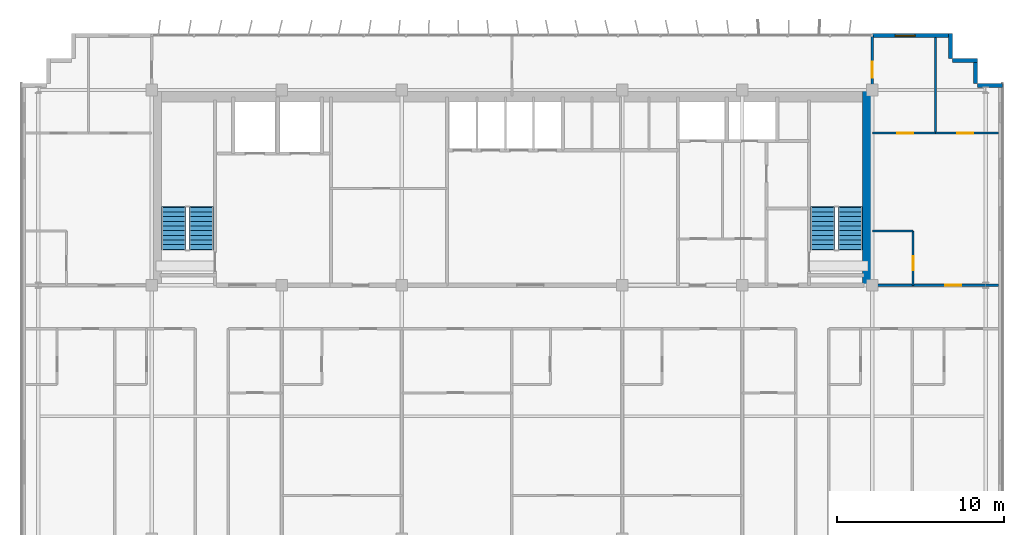
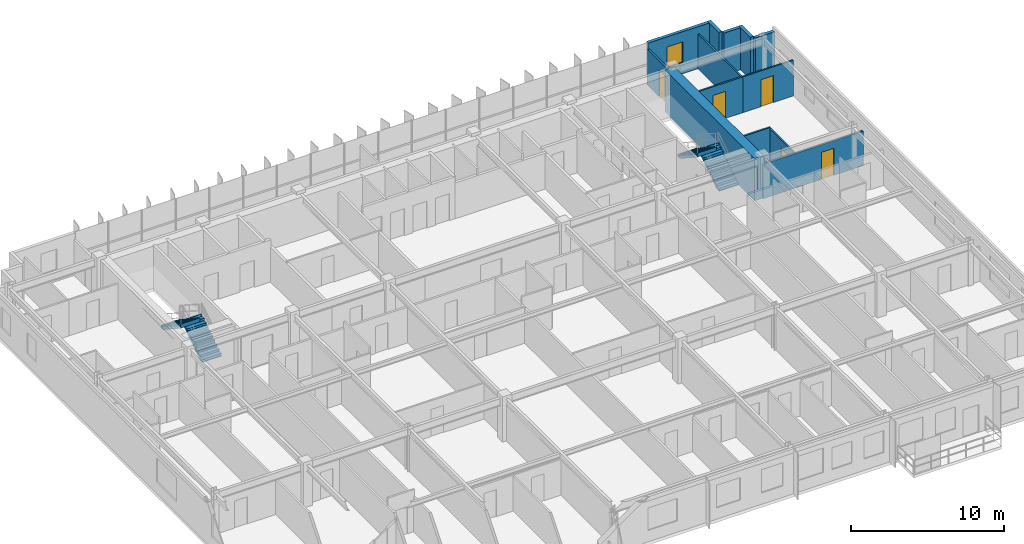
# One storey, part 20 of 22: 13 walls, 5 doors, 4 stair flights, 1 window, 6 openings, 2 elements without a shape of their own.
"""IFC4 building model written with IfcOpenShell, lengths in metres."""

from ifc_helpers import new_model, si_unit, direction, frame, frame_2d, origin, place, context, subcontext, project, spatial, polyline, rectangle, outline, extrude, source, transform, mapped, material, layer, layer_set, type_object, element, fill, aggregate, save


model = new_model("IFC4")

# Units and contexts
model_context = context("Model", 3, precision=1e-05, world=origin(), true_north=direction((0.0, 1.0)))
body_context = subcontext(model_context, "Body", "Model", "MODEL_VIEW")
ifc_project = project(units=[si_unit("LENGTHUNIT", "METRE"), si_unit("AREAUNIT", "SQUARE_METRE"), si_unit("VOLUMEUNIT", "CUBIC_METRE"), si_unit("PLANEANGLEUNIT", "RADIAN"), si_unit("MASSUNIT", "GRAM", prefix="KILO")], contexts=[model_context])

# Site, building, storey
site_placement = place(None, origin())
site = spatial("IfcSite", under=ifc_project, at=site_placement, CompositionType="ELEMENT")
building_placement = place(site_placement, origin())
building = spatial("IfcBuilding", under=site, at=building_placement, Name="Trelvane Seafront Commons", CompositionType="ELEMENT")
storey_placement = place(building_placement, frame((0.0, 0.0, 139.300048828125)))
storey = spatial("IfcBuildingStorey", under=building, at=storey_placement, Name="L36", CompositionType="ELEMENT", Elevation=139.300048828125)

# Wall, opening, window
ifc_material_1 = material(Name="Precast concrete C40/50", Category="concrete")
ifc_layer_1 = layer(ifc_material_1, 0.239990234375, Name="ARCH-WALL-EXT240")
ifc_layer_set_1 = layer_set([ifc_layer_1], Name="Precast concrete C40/50")
wall_type_1 = type_object("IfcWallType", Name="ARCH-WALL-EXT240", PredefinedType="SOLIDWALL", material=ifc_layer_set_1)
wall_1_placement = place(storey_placement, frame((58.800048828125, 48.3701171875, 0.0), z_axis=(0.0, 0.0, 1.0), x_axis=(1.0, 0.0, 0.0)))
wall_1 = element("IfcWall", 1, at=wall_1_placement, inside=storey, type_object=wall_type_1, Name="EW-L36-NE-0696", PredefinedType="SOLIDWALL", context=body_context, shape_type="SweptSolid", body=[
    extrude(rectangle(XDim=4.699951171875, YDim=0.239990234375, at=frame_2d((2.35009765625, 0.0))), origin(), (0.0, 0.0, 1.0), 3.349853515625),
])
opening_1_placement = place(wall_1_placement, frame((1.367919921875, 0.0, 0.89990234375)))
opening_1 = element("IfcOpeningElement", 2, at=opening_1_placement, cuts=wall_1, Name="Opening W05", PredefinedType="OPENING", context=body_context, shape_type="SweptSolid", body=[
    extrude(rectangle(XDim=1.199951171875, YDim=1.64990234375, at=frame_2d((0.60009765625, 0.824951171875))), frame((0.0, 0.1298828125, 0.0), z_axis=(0.0, -1.0, 0.0), x_axis=(1.0, 0.0, 0.0)), (0.0, 0.0, 1.0), 0.260009765625),
])
ifc_material_2 = material(Name="Low-E coastal double glazing", Category="glass")
window_type = type_object("IfcWindowType", Name="ARCH-WIN-W05", PartitioningType="SINGLE_PANEL", PredefinedType="WINDOW", material=ifc_material_2)
shared_shape_1 = source(origin(), body_context, "Body", "SweptSolid", [
    extrude(rectangle(XDim=1.199951171875, YDim=1.64990234375, at=frame_2d((0.60009765625, 0.824951171875))), frame((0.0, 0.030029296875, 0.0), z_axis=(0.0, -1.0, 0.0), x_axis=(1.0, 0.0, 0.0)), (0.0, 0.0, 1.0), 0.06005859375),
])
window_placement = place(opening_1_placement, origin())
window = element("IfcWindow", 3, at=window_placement, inside=storey, type_object=window_type, Name="WIN-L36-00820", OverallHeight=1.64990234375, OverallWidth=1.199951171875, PartitioningType="SINGLE_PANEL", PredefinedType="WINDOW", context=body_context, shape_type="MappedRepresentation", body=[
    mapped(shared_shape_1, transform((0.0, 0.0, 0.0), x_axis=(1.0, 0.0, 0.0), y_axis=(0.0, 1.0, 0.0), z_axis=(0.0, 0.0, 1.0), scale=1.0)),
])
fill(opening_1, window)

# Walls
for number, where, z_axis, x_axis, name in (
    (4, (63.47998046875, 48.5, 0.0), (0.0, 0.0, 1.0), (0.0, -1.0, 0.0), "EW-L36-00705"),
    (5, (63.60009765625, 46.8798828125, 0.0), (0.0, 0.0, 1.0), (1.0, 0.0, 0.0), "EW-L36-00706"),
    (6, (64.97998046875, 47.0, 0.0), (0.0, 0.0, 1.0), (0.0, -1.0, 0.0), "EW-L36-00707"),
    (7, (65.10009765625, 45.3798828125, 0.0), (0.0, 0.0, 1.0), (1.0, 0.0, 0.0), "EW-L36-00708"),
):
    element("IfcWall", number, at=place(storey_placement, frame(where, z_axis=z_axis, x_axis=x_axis)), inside=storey, type_object=wall_type_1, Name=name, PredefinedType="SOLIDWALL", context=body_context, shape_type="SweptSolid", body=[
        extrude(rectangle(XDim=1.5, YDim=0.239990234375, at=frame_2d((0.75, 0.0))), origin(), (0.0, 0.0, 1.0), 3.349853515625),
    ])

# Wall, opening, door
ifc_material_3 = material(Name="Gypsum Drywall Acoustic Partition")
ifc_layer_2 = layer(ifc_material_3, 0.1201171875, Name="ARCH-WALL-PART120")
ifc_layer_set_2 = layer_set([ifc_layer_2], Name="Gypsum Drywall Acoustic Partition")
wall_type_2 = type_object("IfcWallType", Name="ARCH-WALL-PART120", PredefinedType="PARTITIONING", material=ifc_layer_set_2)
wall_2_placement = place(storey_placement, frame((61.25, 33.39990234375, 0.0), z_axis=(0.0, 0.0, 1.0), x_axis=(0.0, 1.0, 0.0)))
wall_2 = element("IfcWall", 8, at=wall_2_placement, inside=storey, type_object=wall_type_2, Name="W-L36-NE-BE-042", PredefinedType="PARTITIONING", context=body_context, shape_type="SweptSolid", body=[
    extrude(rectangle(XDim=3.25, YDim=0.1201171875, at=frame_2d((1.625, 0.0))), origin(), (0.0, 0.0, 1.0), 2.75),
])
opening_2_placement = place(wall_2_placement, frame((0.89990234375, 0.0, 0.0)))
opening_2 = element("IfcOpeningElement", 9, at=opening_2_placement, cuts=wall_2, Name="Opening D-L36-24", PredefinedType="OPENING", context=body_context, shape_type="SweptSolid", body=[
    extrude(rectangle(XDim=0.85009765625, YDim=2.10009765625, at=frame_2d((0.425048828125, 1.050048828125))), frame((0.0, 0.070068359375, 0.0), z_axis=(0.0, -1.0, 0.0), x_axis=(1.0, 0.0, 0.0)), (0.0, 0.0, 1.0), 0.14013671875),
])
ifc_material_4 = material(Name="Acoustic timber door leaf", Category="wood")
door_type_1 = type_object("IfcDoorType", Name="ARCH-DR-INT850", OperationType="NOTDEFINED", PredefinedType="DOOR", material=ifc_material_4)
shared_shape_2 = source(origin(), body_context, "Body", "SweptSolid", [
    extrude(rectangle(XDim=0.85009765625, YDim=2.10009765625, at=frame_2d((0.425048828125, 1.050048828125))), frame((0.0, 0.02490234375, 0.0), z_axis=(0.0, -1.0, 0.0), x_axis=(1.0, 0.0, 0.0)), (0.0, 0.0, 1.0), 0.050048828125),
])
door_1_placement = place(opening_2_placement, origin())
door_1 = element("IfcDoor", 10, at=door_1_placement, inside=storey, type_object=door_type_1, Name="L36 Door 24", OperationType="SINGLE_SWING_RIGHT", OverallHeight=2.10009765625, OverallWidth=0.85009765625, PredefinedType="DOOR", context=body_context, shape_type="MappedRepresentation", body=[
    mapped(shared_shape_2, transform((0.0, 0.0, 0.0), x_axis=(1.0, 0.0, 0.0), y_axis=(0.0, 1.0, 0.0), z_axis=(0.0, 0.0, 1.0), scale=1.0)),
])
fill(opening_2, door_1)

# Wall
wall_3_placement = place(storey_placement, frame((58.800048828125, 36.64990234375, 0.0), z_axis=(0.0, 0.0, 1.0), x_axis=(1.0, 0.0, 0.0)))
element("IfcWall", 11, at=wall_3_placement, inside=storey, type_object=wall_type_2, Name="W-L36-NE-BN-043", PredefinedType="PARTITIONING", context=body_context, shape_type="SweptSolid", body=[
    extrude(rectangle(XDim=2.449951171875, YDim=0.1201171875, at=frame_2d((1.22509765625, 0.0))), origin(), (0.0, 0.0, 1.0), 2.849853515625),
])

# Wall, opening, door
wall_4_placement = place(storey_placement, frame((58.800048828125, 42.52001953125, 0.0), z_axis=(0.0, 0.0, 1.0), x_axis=(1.0, 0.0, 0.0)))
wall_4 = element("IfcWall", 12, at=wall_4_placement, inside=storey, type_object=wall_type_2, Name="W-L36-NE-KB1-044", PredefinedType="PARTITIONING", context=body_context, shape_type="SweptSolid", body=[
    extrude(rectangle(XDim=3.77490234375, YDim=0.1201171875, at=frame_2d((1.887451171875, 0.0))), origin(), (0.0, 0.0, 1.0), 2.849853515625),
])
opening_3_placement = place(wall_4_placement, frame((1.506103515625, 0.0, 0.0)))
opening_3 = element("IfcOpeningElement", 13, at=opening_3_placement, cuts=wall_4, Name="Opening D-L36-25", PredefinedType="OPENING", context=body_context, shape_type="SweptSolid", body=[
    extrude(rectangle(XDim=0.949951171875, YDim=2.14990234375, at=frame_2d((0.47509765625, 1.074951171875))), frame((0.0, 0.070068359375, 0.0), z_axis=(0.0, -1.0, 0.0), x_axis=(1.0, 0.0, 0.0)), (0.0, 0.0, 1.0), 0.14013671875),
])
door_type_2 = type_object("IfcDoorType", Name="ARCH-DR-INT950", OperationType="NOTDEFINED", PredefinedType="DOOR", material=ifc_material_4)
shared_shape_3 = source(origin(), body_context, "Body", "SweptSolid", [
    extrude(rectangle(XDim=0.949951171875, YDim=2.14990234375, at=frame_2d((0.47509765625, 1.074951171875))), frame((0.0, 0.02490234375, 0.0), z_axis=(0.0, -1.0, 0.0), x_axis=(1.0, 0.0, 0.0)), (0.0, 0.0, 1.0), 0.050048828125),
])
door_2_placement = place(opening_3_placement, origin())
door_2 = element("IfcDoor", 14, at=door_2_placement, inside=storey, type_object=door_type_2, Name="L36 Door 25", OperationType="SINGLE_SWING_LEFT", OverallHeight=2.14990234375, OverallWidth=0.949951171875, PredefinedType="DOOR", context=body_context, shape_type="MappedRepresentation", body=[
    mapped(shared_shape_3, transform((0.0, 0.0, 0.0), x_axis=(1.0, 0.0, 0.0), y_axis=(0.0, 1.0, 0.0), z_axis=(0.0, 0.0, 1.0), scale=1.0)),
])
fill(opening_3, door_2)

wall_5_placement = place(storey_placement, frame((62.574951171875, 42.52001953125, 0.0), z_axis=(0.0, 0.0, 1.0), x_axis=(1.0, 0.0, 0.0)))
wall_5 = element("IfcWall", 15, at=wall_5_placement, inside=storey, type_object=wall_type_2, Name="W-L36-NE-KB2-045", PredefinedType="PARTITIONING", context=body_context, shape_type="SweptSolid", body=[
    extrude(rectangle(XDim=3.775146484375, YDim=0.1201171875, at=frame_2d((1.8876953125, 0.0))), origin(), (0.0, 0.0, 1.0), 2.849853515625),
])
opening_4_placement = place(wall_5_placement, frame((1.319091796875, 0.0, 0.0)))
opening_4 = element("IfcOpeningElement", 16, at=opening_4_placement, cuts=wall_5, Name="Opening D-L36-26", PredefinedType="OPENING", context=body_context, shape_type="SweptSolid", body=[
    extrude(rectangle(XDim=0.949951171875, YDim=2.14990234375, at=frame_2d((0.47509765625, 1.074951171875))), frame((0.0, 0.070068359375, 0.0), z_axis=(0.0, -1.0, 0.0), x_axis=(1.0, 0.0, 0.0)), (0.0, 0.0, 1.0), 0.14013671875),
])
door_3_placement = place(opening_4_placement, origin())
door_3 = element("IfcDoor", 17, at=door_3_placement, inside=storey, type_object=door_type_2, Name="L36 Door 26", OperationType="SINGLE_SWING_RIGHT", OverallHeight=2.14990234375, OverallWidth=0.949951171875, PredefinedType="DOOR", context=body_context, shape_type="MappedRepresentation", body=[
    mapped(shared_shape_3, transform((0.0, 0.0, 0.0), x_axis=(1.0, 0.0, 0.0), y_axis=(0.0, 1.0, 0.0), z_axis=(0.0, 0.0, 1.0), scale=1.0)),
])
fill(opening_4, door_3)

# Wall
wall_6_placement = place(storey_placement, frame((62.574951171875, 42.52001953125, 0.0), z_axis=(0.0, 0.0, 1.0), x_axis=(0.0, 1.0, 0.0)))
element("IfcWall", 18, at=wall_6_placement, inside=storey, type_object=wall_type_2, Name="W-L36-NE-KBDV-046", PredefinedType="PARTITIONING", context=body_context, shape_type="SweptSolid", body=[
    extrude(rectangle(XDim=5.739990234375, YDim=0.1201171875, at=frame_2d((2.8701171875, 0.0))), origin(), (0.0, 0.0, 1.0), 2.75),
])

# Wall, opening, door
ifc_layer_3 = layer(ifc_material_3, 0.14990234375, Name="ARCH-WALL-PART150")
ifc_layer_set_3 = layer_set([ifc_layer_3], Name="Gypsum Drywall Acoustic Partition")
wall_type_3 = type_object("IfcWallType", Name="ARCH-WALL-PART150", PredefinedType="PARTITIONING", material=ifc_layer_set_3)
wall_7_placement = place(storey_placement, frame((58.800048828125, 33.39990234375, 0.0), z_axis=(0.0, 0.0, 1.0), x_axis=(1.0, 0.0, 0.0)))
wall_7 = element("IfcWall", 19, at=wall_7_placement, inside=storey, type_object=wall_type_3, Name="W-L36-NE-ENT-047", PredefinedType="PARTITIONING", context=body_context, shape_type="SweptSolid", body=[
    extrude(rectangle(XDim=7.550048828125, YDim=0.14990234375, at=frame_2d((3.77490234375, 0.0))), origin(), (0.0, 0.0, 1.0), 2.75),
])
opening_5_placement = place(wall_7_placement, frame((4.375, 0.0, 0.0)))
opening_5 = element("IfcOpeningElement", 20, at=opening_5_placement, cuts=wall_7, Name="Opening FD-L36-27", PredefinedType="OPENING", context=body_context, shape_type="SweptSolid", body=[
    extrude(rectangle(XDim=0.949951171875, YDim=2.14990234375, at=frame_2d((0.47509765625, 1.074951171875))), frame((0.0, 0.0849609375, 0.0), z_axis=(0.0, -1.0, 0.0), x_axis=(1.0, 0.0, 0.0)), (0.0, 0.0, 1.0), 0.169921875),
])
ifc_material_5 = material(Name="Powder-coated aluminium frame", Category="aluminium")
door_type_3 = type_object("IfcDoorType", Name="ARCH-DR-FD60-950", OperationType="NOTDEFINED", PredefinedType="DOOR", material=ifc_material_5)
door_4_placement = place(opening_5_placement, origin())
door_4 = element("IfcDoor", 21, at=door_4_placement, inside=storey, type_object=door_type_3, Name="L36 NE Flat Entrance Door", OperationType="SINGLE_SWING_LEFT", OverallHeight=2.14990234375, OverallWidth=0.949951171875, PredefinedType="DOOR", context=body_context, shape_type="MappedRepresentation", body=[
    mapped(shared_shape_3, transform((0.0, 0.0, 0.0), x_axis=(1.0, 0.0, 0.0), y_axis=(0.0, 1.0, 0.0), z_axis=(0.0, 0.0, 1.0), scale=1.0)),
])
fill(opening_5, door_4)

wall_8_placement = place(storey_placement, frame((58.800048828125, 44.75, 0.0), z_axis=(0.0, 0.0, 1.0), x_axis=(0.0, 1.0, 0.0)))
wall_8 = element("IfcWall", 22, at=wall_8_placement, inside=storey, type_object=wall_type_3, Name="W-L36-N-LINK-E-050", PredefinedType="PARTITIONING", context=body_context, shape_type="SweptSolid", body=[
    extrude(rectangle(XDim=3.610107421875, YDim=0.14990234375, at=frame_2d((1.80517578125, 0.0))), origin(), (0.0, 0.0, 1.0), 2.849853515625),
])
opening_6_placement = place(wall_8_placement, frame((1.10009765625, 0.0, 0.0)))
opening_6 = element("IfcOpeningElement", 23, at=opening_6_placement, cuts=wall_8, Name="Opening FD-L36-30", PredefinedType="OPENING", context=body_context, shape_type="SweptSolid", body=[
    extrude(rectangle(XDim=0.949951171875, YDim=2.14990234375, at=frame_2d((0.47509765625, 1.074951171875))), frame((0.0, 0.0849609375, 0.0), z_axis=(0.0, -1.0, 0.0), x_axis=(1.0, 0.0, 0.0)), (0.0, 0.0, 1.0), 0.169921875),
])
door_5_placement = place(opening_6_placement, origin())
door_5 = element("IfcDoor", 24, at=door_5_placement, inside=storey, type_object=door_type_3, Name="L36 Door 30", OperationType="SINGLE_SWING_RIGHT", OverallHeight=2.14990234375, OverallWidth=0.949951171875, PredefinedType="DOOR", context=body_context, shape_type="MappedRepresentation", body=[
    mapped(shared_shape_3, transform((0.0, 0.0, 0.0), x_axis=(1.0, 0.0, 0.0), y_axis=(0.0, 1.0, 0.0), z_axis=(0.0, 0.0, 1.0), scale=1.0)),
])
fill(opening_6, door_5)

# Wall
ifc_material_6 = material(Name="Concrete C60/75", Category="concrete")
ifc_layer_4 = layer(ifc_material_6, 0.699951171875, Name="STR-WALL-CORE700")
ifc_layer_set_4 = layer_set([ifc_layer_4], Name="Concrete C60/75")
wall_type_4 = type_object("IfcWallType", Name="STR-WALL-CORE700", PredefinedType="SHEAR", material=ifc_layer_set_4)
wall_9_placement = place(storey_placement, frame((58.550048828125, 33.39990234375, 0.0), z_axis=(0.0, 0.0, 1.0), x_axis=(0.0, 1.0, 0.0)))
element("IfcWall", 25, at=wall_9_placement, inside=storey, type_object=wall_type_4, Name="W-L36-CE-END-003", PredefinedType="SHEAR", context=body_context, shape_type="SweptSolid", body=[
    extrude(rectangle(XDim=11.7001953125, YDim=0.699951171875, at=frame_2d((5.85009765625, 0.0))), origin(), (0.0, 0.0, 1.0), 3.349853515625),
])

# Stair, stair flights
ifc_material_7 = material(Name="Concrete C40/50", Category="concrete")
stair_type_1 = type_object("IfcStairType", Name="ARCH-STR-ST-1-R20-180", PredefinedType="HALF_TURN_STAIR", material=ifc_material_7)
stair_1_placement = place(storey_placement, origin())
stair_1 = element("IfcStair", 26, at=stair_1_placement, inside=storey, type_object=stair_type_1, Name="L36 West Protected Firefighting Exit Stair ST-1", PredefinedType="HALF_TURN_STAIR")
stair_flight_type_1 = type_object("IfcStairFlightType", Name="ARCH-FLG-ST-1-R20-180", PredefinedType="STRAIGHT", material=ifc_material_7)
shared_shape_4 = source(origin(), body_context, "Body", "SweptSolid", [
    extrude(outline(polyline([(-0.050048828125, -0.02001953125), (-0.050048828125, 0.0), (0.0, 0.0), (0.0, 0.179931640625), (0.280029296875, 0.179931640625), (0.280029296875, 0.360107421875), (0.56005859375, 0.360107421875), (0.56005859375, 0.5400390625), (0.840087890625, 0.5400390625), (0.840087890625, 0.719970703125), (1.1201171875, 0.719970703125), (1.1201171875, 0.89990234375), (1.39990234375, 0.89990234375), (1.39990234375, 1.080078125), (1.679931640625, 1.080078125), (1.679931640625, 1.260009765625), (1.9599609375, 1.260009765625), (1.9599609375, 1.43994140625), (2.239990234375, 1.43994140625), (2.239990234375, 1.6201171875), (2.52001953125, 1.6201171875), (2.52001953125, 1.800048828125), (2.570068359375, 1.800048828125), (2.570068359375, 1.650146484375), (2.52001953125, 1.44189453125), (0.277099609375, -0.02001953125), (-0.050048828125, -0.02001953125)])), frame((0.0, 0.72509765625, 0.0), z_axis=(0.0, -1.0, 0.0), x_axis=(1.0, 0.0, 0.0)), (0.0, 0.0, 1.0), 1.449951171875),
])
stair_flight_1_placement = place(storey_placement, frame((18.574951171875, 35.550048828125, 0.0), z_axis=(0.0, 0.0, 1.0), x_axis=(0.0, 1.0, 0.0)))
stair_flight_1 = element("IfcStairFlight", 27, at=stair_flight_1_placement, type_object=stair_flight_type_1, Name="ST-1 flight 1", NumberOfRisers=10, NumberOfTreads=9, PredefinedType="STRAIGHT", RiserHeight=0.18, TreadLength=0.28, context=body_context, shape_type="MappedRepresentation", body=[
    mapped(shared_shape_4, transform((0.0, 0.0, 0.0), x_axis=(1.0, 0.0, 0.0), y_axis=(0.0, 1.0, 0.0), z_axis=(0.0, 0.0, 1.0), scale=1.0)),
])
stair_flight_2_placement = place(storey_placement, frame((16.925048828125, 38.070068359375, 1.800048828125), z_axis=(0.0, 0.0, 1.0), x_axis=(0.0, -1.0, 0.0)))
stair_flight_2 = element("IfcStairFlight", 28, at=stair_flight_2_placement, type_object=stair_flight_type_1, Name="ST-1 flight 2", NumberOfRisers=10, NumberOfTreads=9, PredefinedType="STRAIGHT", RiserHeight=0.18, TreadLength=0.28, context=body_context, shape_type="MappedRepresentation", body=[
    mapped(shared_shape_4, transform((0.0, 0.0, 0.0), x_axis=(1.0, 0.0, 0.0), y_axis=(0.0, 1.0, 0.0), z_axis=(0.0, 0.0, 1.0), scale=1.0)),
])
aggregate(stair_1, [stair_flight_1, stair_flight_2])

stair_type_2 = type_object("IfcStairType", Name="ARCH-STR-ST-2-R20-180", PredefinedType="HALF_TURN_STAIR", material=ifc_material_7)
stair_2_placement = place(storey_placement, origin())
stair_2 = element("IfcStair", 29, at=stair_2_placement, inside=storey, type_object=stair_type_2, Name="L36 East Protected Firefighting Exit Stair ST-2", PredefinedType="HALF_TURN_STAIR")
stair_flight_type_2 = type_object("IfcStairFlightType", Name="ARCH-FLG-ST-2-R20-180", PredefinedType="STRAIGHT", material=ifc_material_7)
stair_flight_3_placement = place(storey_placement, frame((57.47509765625, 35.550048828125, 0.0), z_axis=(0.0, 0.0, 1.0), x_axis=(0.0, 1.0, 0.0)))
stair_flight_3 = element("IfcStairFlight", 30, at=stair_flight_3_placement, type_object=stair_flight_type_2, Name="ST-2 flight 1", NumberOfRisers=10, NumberOfTreads=9, PredefinedType="STRAIGHT", RiserHeight=0.18, TreadLength=0.28, context=body_context, shape_type="MappedRepresentation", body=[
    mapped(shared_shape_4, transform((0.0, 0.0, 0.0), x_axis=(1.0, 0.0, 0.0), y_axis=(0.0, 1.0, 0.0), z_axis=(0.0, 0.0, 1.0), scale=1.0)),
])
stair_flight_4_placement = place(storey_placement, frame((55.824951171875, 38.070068359375, 1.800048828125), z_axis=(0.0, 0.0, 1.0), x_axis=(0.0, -1.0, 0.0)))
stair_flight_4 = element("IfcStairFlight", 31, at=stair_flight_4_placement, type_object=stair_flight_type_2, Name="ST-2 flight 2", NumberOfRisers=10, NumberOfTreads=9, PredefinedType="STRAIGHT", RiserHeight=0.18, TreadLength=0.28, context=body_context, shape_type="MappedRepresentation", body=[
    mapped(shared_shape_4, transform((0.0, 0.0, 0.0), x_axis=(1.0, 0.0, 0.0), y_axis=(0.0, 1.0, 0.0), z_axis=(0.0, 0.0, 1.0), scale=1.0)),
])
aggregate(stair_2, [stair_flight_3, stair_flight_4])

save(model, "model.ifc")
